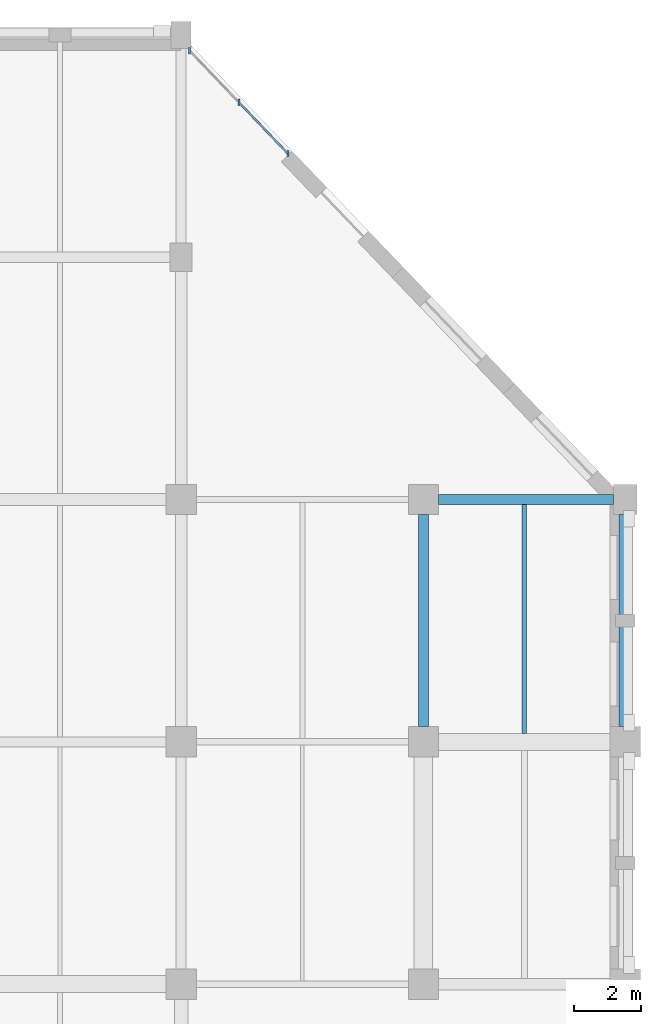
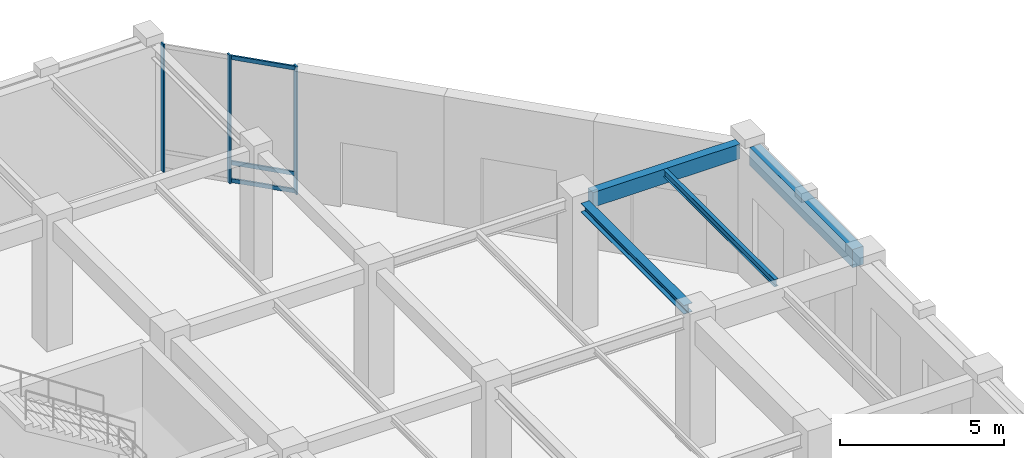
# One storey, part 38 of 64: 6 members, 4 beams, 1 element without a shape of its own.
"""IFC4 building model written with IfcOpenShell, lengths in metres."""

import ifcopenshell
import ifcopenshell.guid

model = None  # the IFC model being written
_history = None  # IfcOwnerHistory: only IFC2X3 demands one
_inside = {}  # id of a spatial element -> (the spatial element, [elements in it])
_under = {}  # id of a project, library or spatial element -> (it, [spatial elements below it])
_declared = {}  # id of a project -> (the project, [libraries it declares])
_typed = {}  # id of a type object -> (the type object, [elements of that type])
_made_of = {}  # id of a material, layer set ... -> (it, [elements and type objects made of it])


def new_model(schema):
    """Start an empty IFC model of exactly this schema.

    Asked for "IFC4X3", IfcOpenShell would pick the latest addendum, in which some entities
    have other attributes; the version numbers below select the first issue.
    IFC2X3 requires an IfcOwnerHistory on every rooted entity: one is made here for all.
    """
    global model, _history
    if schema == "IFC4X3":
        model = ifcopenshell.file(schema_version=(4, 3, 0, 0))
    else:
        model = ifcopenshell.file(schema=schema)
    _inside.clear()
    _under.clear()
    _declared.clear()
    _typed.clear()
    _made_of.clear()
    _history = None
    if model.schema == "IFC2X3":
        org = make("IfcOrganization", Name="unknown")
        user = make(
            "IfcPersonAndOrganization",
            ThePerson=make("IfcPerson", FamilyName="unknown"),
            TheOrganization=org,
        )
        app = make(
            "IfcApplication",
            ApplicationDeveloper=org,
            Version="unknown",
            ApplicationFullName="unknown",
            ApplicationIdentifier="unknown",
        )
        _history = make(
            "IfcOwnerHistory",
            OwningUser=user,
            OwningApplication=app,
            ChangeAction="ADDED",
            CreationDate=0,
        )
    return model


def make(cls, **values):
    """One entity of the class cls with the attributes given. An attribute that is None is left unset."""
    return model.create_entity(
        cls, **{name: value for name, value in values.items() if value is not None}
    )


def rooted(cls, **values):
    """An entity with a GlobalId (a new one), such as an element, a storey or a relation."""
    return make(cls, GlobalId=ifcopenshell.guid.new(), OwnerHistory=_history, **values)


def si_unit(unit_type, name, prefix=None):
    """IfcSIUnit, for example si_unit("LENGTHUNIT", "METRE", prefix="MILLI")."""
    return make("IfcSIUnit", UnitType=unit_type, Prefix=prefix, Name=name)


def assignment(units):
    """IfcUnitAssignment: the units of a project."""
    return None if units is None else make("IfcUnitAssignment", Units=units)


def point(xyz):
    """IfcCartesianPoint."""
    return None if xyz is None else make("IfcCartesianPoint", Coordinates=xyz)


def direction(xyz):
    """IfcDirection."""
    return None if xyz is None else make("IfcDirection", DirectionRatios=xyz)


def frame(location, z_axis=None, x_axis=None):
    """IfcAxis2Placement3D, a coordinate frame: its origin and axes. An axis left out is left unset."""
    return make(
        "IfcAxis2Placement3D",
        Location=point(location),
        Axis=direction(z_axis),
        RefDirection=direction(x_axis),
    )


def frame_2d(location, x_axis=None):
    """IfcAxis2Placement2D, a coordinate frame in the plane: its origin and x axis."""
    return make(
        "IfcAxis2Placement2D", Location=point(location), RefDirection=direction(x_axis)
    )


def origin():
    """The frame at (0, 0, 0) with its axes left unset."""
    return frame((0.0, 0.0, 0.0))


def origin_2d():
    """The frame at (0, 0) in the plane with its x axis left unset."""
    return frame_2d((0.0, 0.0))


def place(relative_to, where):
    """IfcLocalPlacement: puts the frame where relative to a parent placement (None: the world)."""
    return make(
        "IfcLocalPlacement", PlacementRelTo=relative_to, RelativePlacement=where
    )


def context(
    kind, dimensions, precision=None, world=None, true_north=None, identifier=None
):
    """IfcGeometricRepresentationContext, for example the 3D "Model" context."""
    return make(
        "IfcGeometricRepresentationContext",
        ContextIdentifier=identifier,
        ContextType=kind,
        CoordinateSpaceDimension=dimensions,
        Precision=precision,
        WorldCoordinateSystem=world,
        TrueNorth=true_north,
    )


def subcontext(parent, identifier, kind, view, scale=None):
    """IfcGeometricRepresentationSubContext, for example "Body" below "Model"."""
    return make(
        "IfcGeometricRepresentationSubContext",
        ContextIdentifier=identifier,
        ContextType=kind,
        ParentContext=parent,
        TargetScale=scale,
        TargetView=view,
    )


def project(units=None, contexts=None):
    """IfcProject with its units and contexts."""
    return rooted(
        "IfcProject",
        Name="project",
        RepresentationContexts=contexts,
        UnitsInContext=assignment(units),
    )


def spatial(cls, under=None, at=None, **own):
    """A site, building, storey or space (cls), placed at a placement, below another one or the project."""
    s = rooted(cls, ObjectPlacement=at, **own)
    if under is not None:
        _under.setdefault(under.id(), (under, []))[1].append(s)
    return s


def profile(cls, at=None, kind="AREA", **sizes):
    """A parametric profile (cls). Its sizes go by their IFC names, for example OverallWidth=200.0."""
    return make(cls, ProfileType=kind, Position=at, **sizes)


def rectangle(**sizes):
    """IfcRectangleProfileDef."""
    return profile("IfcRectangleProfileDef", **sizes)


def i_section(**sizes):
    """IfcIShapeProfileDef."""
    return profile("IfcIShapeProfileDef", **sizes)


def extrude(swept, where, along, depth):
    """IfcExtrudedAreaSolid: the profile swept, set in the frame where, extruded along a direction by depth."""
    return make(
        "IfcExtrudedAreaSolid",
        SweptArea=swept,
        Position=where,
        ExtrudedDirection=direction(along),
        Depth=depth,
    )


def shape(context_of_items, identifier, shape_type, items):
    """IfcShapeRepresentation: the items that make up one representation, for example the "Body"."""
    return make(
        "IfcShapeRepresentation",
        ContextOfItems=context_of_items,
        RepresentationIdentifier=identifier,
        RepresentationType=shape_type,
        Items=items,
    )


def material(Name=None, Category=None):
    """IfcMaterial."""
    return make("IfcMaterial", Name=Name, Category=Category)


def material_profile(
    of_material, cross_section, Name=None, Category=None, Priority=None
):
    """IfcMaterialProfile: a cross section and its material."""
    return make(
        "IfcMaterialProfile",
        Name=Name,
        Material=of_material,
        Profile=cross_section,
        Priority=Priority,
        Category=Category,
    )


def profile_set(profiles, Name=None, composite=None):
    """IfcMaterialProfileSet."""
    return make(
        "IfcMaterialProfileSet",
        Name=Name,
        MaterialProfiles=profiles,
        CompositeProfile=composite,
    )


def made_of(thing, what):
    """Note that an element or type object is made of a material, layer set ...; save() writes the relation."""
    if what is not None:
        _made_of.setdefault(what.id(), (what, []))[1].append(thing)
    return thing


def type_object(cls, material=None, **own):
    """A type object (cls), such as IfcWallType, which elements share."""
    return made_of(rooted(cls, **own), material)


def element(
    cls,
    number,
    at=None,
    inside=None,
    cuts=None,
    type_object=None,
    material=None,
    context=None,
    identifier="Body",
    shape_type=None,
    held_by="IfcProductDefinitionShape",
    body=None,
    shapes=None,
    **own,
):
    """One element of the class cls, such as IfcWall. Its Tag is "e" and its number.

    at: its placement. inside: the storey or other place that contains it. cuts: it is an
    opening in that element (IfcRelVoidsElement). A single representation is given by context,
    identifier, shape_type and body (its items); several are given by shapes. held_by: the class
    of the entity that holds the representations. save() writes the other relations.
    """
    e = rooted(cls, Tag="e%d" % number, ObjectPlacement=at, **own)
    if body is not None:
        shapes = [shape(context, identifier, shape_type, body)]
    if shapes is not None:
        e.Representation = make(held_by, Representations=shapes)
    if inside is not None:
        _inside.setdefault(inside.id(), (inside, []))[1].append(e)
    if cuts is not None:
        rooted(
            "IfcRelVoidsElement", RelatingBuildingElement=cuts, RelatedOpeningElement=e
        )
    if type_object is not None:
        _typed.setdefault(type_object.id(), (type_object, []))[1].append(e)
    return made_of(e, material)


def aggregate(whole, parts):
    """IfcRelAggregates: a whole, such as a stair, and the parts it consists of."""
    return rooted("IfcRelAggregates", RelatingObject=whole, RelatedObjects=parts)


def save(model, path):
    """Write the relations noted so far, then the file.

    IfcRelAggregates (storeys below a building ...), IfcRelContainedInSpatialStructure (elements
    in a storey), IfcRelDefinesByType, IfcRelAssociatesMaterial and IfcRelDeclares: one each for
    every whole, place, type object, material and project.
    """
    for whole, parts in _under.values():
        aggregate(whole, parts)
    for where, things in _inside.values():
        rooted(
            "IfcRelContainedInSpatialStructure",
            RelatedElements=things,
            RelatingStructure=where,
        )
    for kind, things in _typed.values():
        rooted("IfcRelDefinesByType", RelatedObjects=things, RelatingType=kind)
    for what, things in _made_of.values():
        rooted("IfcRelAssociatesMaterial", RelatedObjects=things, RelatingMaterial=what)
    for by, libraries in _declared.values():
        rooted("IfcRelDeclares", RelatingContext=by, RelatedDefinitions=libraries)
    model.write(path)


model = new_model("IFC4")

# Units and contexts
model_context = context("Model", 3, precision=1e-05, world=origin(), true_north=direction((0.0, 1.0)))
body_context = subcontext(model_context, "Body", "Model", "MODEL_VIEW")
ifc_project = project(units=[si_unit("LENGTHUNIT", "METRE"), si_unit("AREAUNIT", "SQUARE_METRE"), si_unit("VOLUMEUNIT", "CUBIC_METRE"), si_unit("PLANEANGLEUNIT", "RADIAN"), si_unit("MASSUNIT", "GRAM", prefix="KILO")], contexts=[model_context])

# Site, building, storey
site_placement = place(None, origin())
site = spatial("IfcSite", under=ifc_project, at=site_placement, CompositionType="ELEMENT")
building_placement = place(site_placement, origin())
building = spatial("IfcBuilding", under=site, at=building_placement, Name="Clarverna Civic Hall", CompositionType="ELEMENT")
storey_placement = place(building_placement, origin())
storey = spatial("IfcBuildingStorey", under=building, at=storey_placement, Name="L00", CompositionType="ELEMENT", Elevation=0.0)

# Beams
ifc_material_1 = material(Name="Concrete C35/45", Category="concrete")
ifc_material_profile_1 = material_profile(ifc_material_1, rectangle(XDim=0.300048828125, YDim=0.550048828125, at=origin_2d()), Name="RC 300x550")
ifc_profile_set_1 = profile_set([ifc_material_profile_1], Name="Concrete C35/45")
beam_type_1 = type_object("IfcBeamType", Name="B-RC11", PredefinedType="BEAM", material=ifc_profile_set_1)
beam_1_placement = place(storey_placement, frame((162.449951171875, 102.199951171875, 4.5048828125), z_axis=(1.0, 0.0, 0.0), x_axis=(0.0, 1.0, 0.0)))
element("IfcBeam", 1, at=beam_1_placement, inside=storey, type_object=beam_type_1, Name="B-RC11-021", PredefinedType="BEAM", context=body_context, shape_type="SweptSolid", body=[
    extrude(rectangle(XDim=0.300048828125, YDim=0.550048828125, at=origin_2d()), origin(), (0.0, 0.0, 1.0), 5.199951171875),
])
ifc_material_profile_2 = material_profile(ifc_material_1, rectangle(XDim=0.3798828125, YDim=0.679931640625, at=origin_2d()), Name="RC 380x680")
ifc_profile_set_2 = profile_set([ifc_material_profile_2], Name="Concrete C35/45")
beam_type_2 = type_object("IfcBeamType", Name="B-SP2", PredefinedType="SPANDREL", material=ifc_profile_set_2)
beam_2_placement = place(storey_placement, frame((168.0, 95.449951171875, 4.43994140625), z_axis=(0.0, 1.0, 0.0), x_axis=(-1.0, 0.0, 0.0)))
element("IfcBeam", 2, at=beam_2_placement, inside=storey, type_object=beam_type_2, Name="B-SP2-056", PredefinedType="SPANDREL", context=body_context, shape_type="SweptSolid", body=[
    extrude(rectangle(XDim=0.3798828125, YDim=0.679931640625, at=origin_2d()), origin(), (0.0, 0.0, 1.0), 6.300048828125),
])
ifc_material_2 = material(Name="Steel S355", Category="steel")
ifc_material_profile_3 = material_profile(ifc_material_2, i_section(OverallWidth=0.300048828125, OverallDepth=0.330078125, WebThickness=0.009521484375, FlangeThickness=0.0166015625, FilletRadius=0.027099609375, at=origin_2d()), Name="HEA 340")
ifc_profile_set_3 = profile_set([ifc_material_profile_3], Name="Steel S355")
beam_type_3 = type_object("IfcBeamType", Name="B-ST8", PredefinedType="BEAM", material=ifc_profile_set_3)
beam_3_placement = place(storey_placement, frame((162.0, 95.449951171875, 4.614990234375), z_axis=(0.0, 1.0, 0.0), x_axis=(-1.0, 0.0, 0.0)))
element("IfcBeam", 3, at=beam_3_placement, inside=storey, type_object=beam_type_3, Name="B-ST8-028", PredefinedType="BEAM", context=body_context, shape_type="SweptSolid", body=[
    extrude(i_section(OverallWidth=0.300048828125, OverallDepth=0.330078125, WebThickness=0.009521484375, FlangeThickness=0.0166015625, FilletRadius=0.027099609375, at=origin_2d()), origin(), (0.0, 0.0, 1.0), 6.300048828125),
])

# Curtain wall, members
ifc_material_3 = material(Name="Anodised Bronze Architectural Aluminium", Category="aluminium")
curtain_wall_type = type_object("IfcCurtainWallType", Name="CW-02", PredefinedType="USERDEFINED", material=ifc_material_3)
curtain_wall_placement = place(storey_placement, origin())
curtain_wall = element("IfcCurtainWall", 4, at=curtain_wall_placement, inside=storey, type_object=curtain_wall_type, Name="CW-02-001", ObjectType="UNITISED CURTAIN WALL", PredefinedType="USERDEFINED")
ifc_material_profile_4 = material_profile(ifc_material_3, rectangle(XDim=0.06005859375, YDim=0.179931640625, at=origin_2d()), Name="BRONZE 60x180")
ifc_profile_set_4 = profile_set([ifc_material_profile_4], Name="Anodised Bronze Architectural Aluminium")
member_type_1 = type_object("IfcMemberType", Name="CWM-01", PredefinedType="MULLION", material=ifc_profile_set_4)
member_1_placement = place(storey_placement, frame((155.0498046875, 115.5361328125, 0.0), z_axis=(0.0, 0.0, 1.0), x_axis=(1.0, 0.0, 0.0)))
member_1 = element("IfcMember", 5, at=member_1_placement, type_object=member_type_1, Name="CWM-01-001", PredefinedType="MULLION", context=body_context, shape_type="SweptSolid", body=[
    extrude(rectangle(XDim=0.06005859375, YDim=0.179931640625, at=origin_2d()), origin(), (0.0, 0.0, 1.0), 4.780029296875),
])
member_2_placement = place(storey_placement, frame((156.512939453125, 114.006591796875, 0.0), z_axis=(0.0, 0.0, 1.0), x_axis=(1.0, 0.0, 0.0)))
member_2 = element("IfcMember", 6, at=member_2_placement, type_object=member_type_1, Name="CWM-01-002", PredefinedType="MULLION", context=body_context, shape_type="SweptSolid", body=[
    extrude(rectangle(XDim=0.06005859375, YDim=0.179931640625, at=origin_2d()), origin(), (0.0, 0.0, 1.0), 4.780029296875),
])
member_3_placement = place(storey_placement, frame((157.97607421875, 112.47705078125, 0.0), z_axis=(0.0, 0.0, 1.0), x_axis=(1.0, 0.0, 0.0)))
member_3 = element("IfcMember", 7, at=member_3_placement, type_object=member_type_1, Name="CWM-01-003", PredefinedType="MULLION", context=body_context, shape_type="SweptSolid", body=[
    extrude(rectangle(XDim=0.06005859375, YDim=0.179931640625, at=origin_2d()), origin(), (0.0, 0.0, 1.0), 4.780029296875),
])
ifc_material_profile_5 = material_profile(ifc_material_3, rectangle(XDim=0.06005859375, YDim=0.14990234375, at=origin_2d()), Name="BRONZE 60x150")
ifc_profile_set_5 = profile_set([ifc_material_profile_5], Name="Anodised Bronze Architectural Aluminium")
member_type_2 = type_object("IfcMemberType", Name="CWT-01", PredefinedType="USERDEFINED", material=ifc_profile_set_5)
member_4_placement = place(storey_placement, frame((156.523193359375, 113.995849609375, 0.094970703125), z_axis=(0.691196082375, -0.722667264866, 0.0), x_axis=(0.722667264866, 0.691196082375, 0.0)))
member_4 = element("IfcMember", 8, at=member_4_placement, type_object=member_type_2, Name="CWT-01-004", ObjectType="TRANSOM", PredefinedType="USERDEFINED", context=body_context, shape_type="SweptSolid", body=[
    extrude(rectangle(XDim=0.06005859375, YDim=0.14990234375, at=origin_2d()), origin(), (0.0, 0.0, 1.0), 2.0869140625),
])
member_5_placement = place(storey_placement, frame((156.523193359375, 113.995849609375, 0.75), z_axis=(0.691196082375, -0.722667264866, 0.0), x_axis=(0.722667264866, 0.691196082375, 0.0)))
member_5 = element("IfcMember", 9, at=member_5_placement, type_object=member_type_2, Name="CWT-01-005", ObjectType="TRANSOM", PredefinedType="USERDEFINED", context=body_context, shape_type="SweptSolid", body=[
    extrude(rectangle(XDim=0.06005859375, YDim=0.14990234375, at=origin_2d()), origin(), (0.0, 0.0, 1.0), 2.0869140625),
])
member_6_placement = place(storey_placement, frame((156.523193359375, 113.995849609375, 4.68505859375), z_axis=(0.691196082375, -0.722667264866, 0.0), x_axis=(0.722667264866, 0.691196082375, 0.0)))
member_6 = element("IfcMember", 10, at=member_6_placement, type_object=member_type_2, Name="CWT-01-006", ObjectType="TRANSOM", PredefinedType="USERDEFINED", context=body_context, shape_type="SweptSolid", body=[
    extrude(rectangle(XDim=0.06005859375, YDim=0.14990234375, at=origin_2d()), origin(), (0.0, 0.0, 1.0), 2.0869140625),
])
aggregate(curtain_wall, [member_1, member_2, member_3, member_4, member_5, member_6])

# Beam
ifc_material_profile_6 = material_profile(ifc_material_2, i_section(OverallWidth=0.135009765625, OverallDepth=0.27001953125, WebThickness=0.006591796875, FlangeThickness=0.01025390625, FilletRadius=0.014892578125, at=origin_2d()), Name="IPE 270")
ifc_profile_set_6 = profile_set([ifc_material_profile_6], Name="Steel S355")
beam_type_4 = type_object("IfcBeamType", Name="J-ST4", PredefinedType="JOIST", material=ifc_profile_set_6)
beam_4_placement = place(storey_placement, frame((165.0, 95.25, 4.64501953125), z_axis=(0.0, 1.0, 0.0), x_axis=(-1.0, 0.0, 0.0)))
element("IfcBeam", 11, at=beam_4_placement, inside=storey, type_object=beam_type_4, Name="J-ST4-034", PredefinedType="JOIST", context=body_context, shape_type="SweptSolid", body=[
    extrude(i_section(OverallWidth=0.135009765625, OverallDepth=0.27001953125, WebThickness=0.006591796875, FlangeThickness=0.01025390625, FilletRadius=0.014892578125, at=origin_2d()), origin(), (0.0, 0.0, 1.0), 6.800048828125),
])

save(model, "model.ifc")
